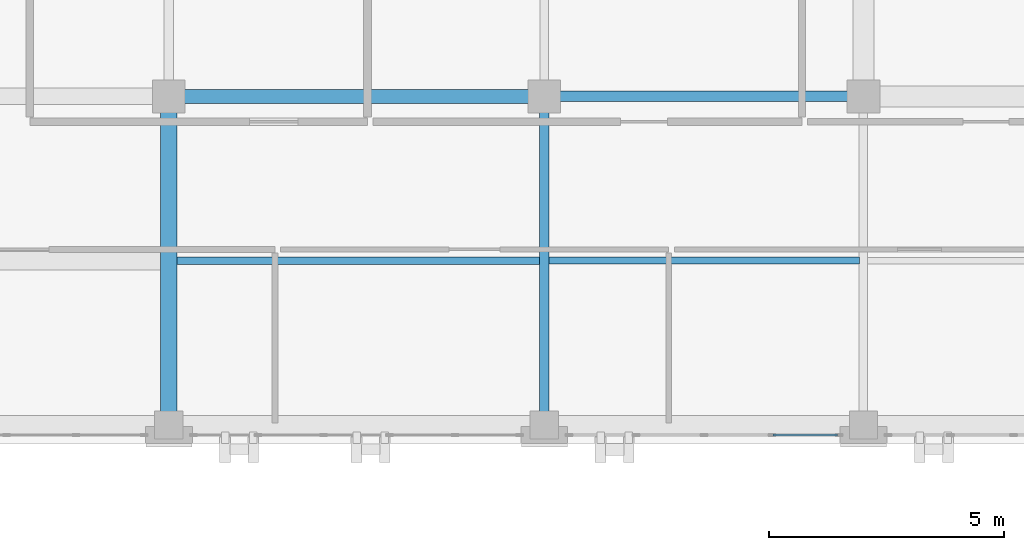
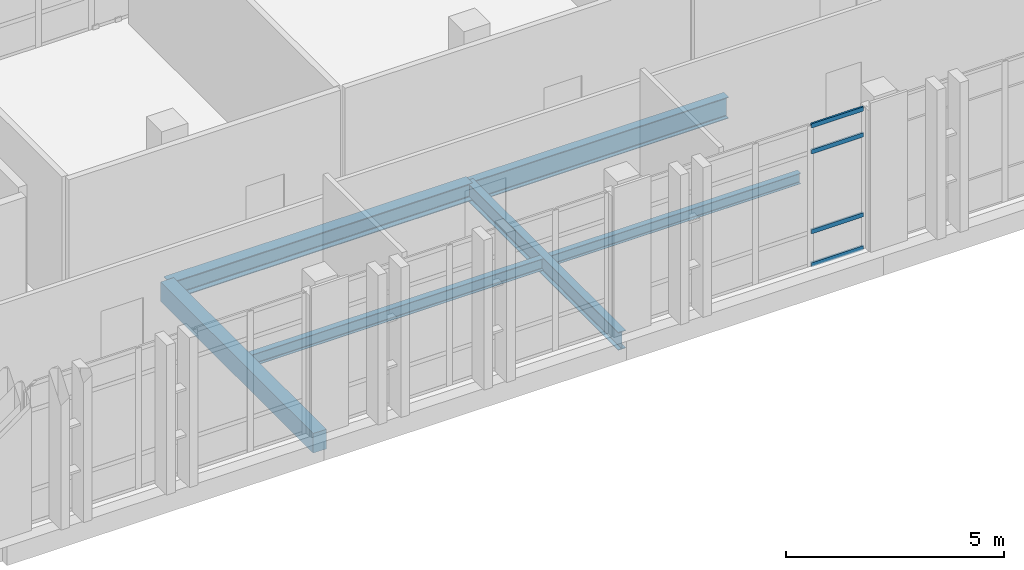
# One storey, part 25 of 77: 6 beams, 4 members, 1 element without a shape of its own.
"""IFC4 building model written with IfcOpenShell, lengths in metres."""

from ifc_helpers import new_model, si_unit, direction, frame, origin, origin_2d, place, context, subcontext, project, spatial, rectangle, hollow_rectangle, i_section, extrude, material, layer, layer_set, material_profile, profile_set, type_object, element, aggregate, save


model = new_model("IFC4")

# Units and contexts
model_context = context("Model", 3, precision=1e-05, world=origin(), true_north=direction((0.0, 1.0)))
body_context = subcontext(model_context, "Body", "Model", "MODEL_VIEW")
ifc_project = project(units=[si_unit("LENGTHUNIT", "METRE"), si_unit("AREAUNIT", "SQUARE_METRE"), si_unit("VOLUMEUNIT", "CUBIC_METRE"), si_unit("PLANEANGLEUNIT", "RADIAN"), si_unit("MASSUNIT", "GRAM", prefix="KILO")], contexts=[model_context])

# Site, building, storey
site_placement = place(None, origin())
site = spatial("IfcSite", under=ifc_project, at=site_placement, CompositionType="ELEMENT")
building_placement = place(site_placement, origin())
building = spatial("IfcBuilding", under=site, at=building_placement, Name="Qalavern Law Courts", CompositionType="ELEMENT")
storey_placement = place(building_placement, frame((0.0, 0.0, 27.0)))
storey = spatial("IfcBuildingStorey", under=building, at=storey_placement, Name="L06", CompositionType="ELEMENT", Elevation=27.0)

# Curtain wall, members
ifc_material_1 = material(Name="Anodised aluminium and insulated glazing", Category="aluminium")
ifc_layer = layer(ifc_material_1, 0.166015625)
ifc_layer_set = layer_set([ifc_layer], Name="Anodised aluminium and insulated glazing")
curtain_wall_type = type_object("IfcCurtainWallType", Name="ENV-CW-LIB", PredefinedType="USERDEFINED", material=ifc_layer_set)
curtain_wall_placement = place(storey_placement, origin())
curtain_wall = element("IfcCurtainWall", 1, at=curtain_wall_placement, inside=storey, type_object=curtain_wall_type, Name="V5 unitised curtain wall L06 south 4", ObjectType="UNITISED CURTAIN WALL", PredefinedType="USERDEFINED")
ifc_material_2 = material(Name="Anodised aluminium", Category="aluminium")
ifc_material_profile_1 = material_profile(ifc_material_2, hollow_rectangle(XDim=0.048095703125, YDim=0.1201171875, WallThickness=0.00390625, at=origin_2d()), Name="ALU TRANSOM 48x120")
ifc_profile_set_1 = profile_set([ifc_material_profile_1], Name="Anodised aluminium")
member_type = type_object("IfcMemberType", Name="ENV-CWT-48x120", PredefinedType="USERDEFINED", material=ifc_profile_set_1)
member_1_placement = place(storey_placement, frame((49.674072265625, 96.385009765625, 0.02392578125), z_axis=(1.0, 0.0, 0.0), x_axis=(0.0, 1.0, 0.0)))
member_1 = element("IfcMember", 2, at=member_1_placement, type_object=member_type, Name="CW-05 transom 4.1", ObjectType="TRANSOM", PredefinedType="USERDEFINED", context=body_context, shape_type="SweptSolid", body=[
    extrude(hollow_rectangle(XDim=0.048095703125, YDim=0.1201171875, WallThickness=0.00390625, at=origin_2d()), origin(), (0.0, 0.0, 1.0), 1.3779296875),
])
member_2_placement = place(storey_placement, frame((49.674072265625, 96.385009765625, 0.949951171875), z_axis=(1.0, 0.0, 0.0), x_axis=(0.0, 1.0, 0.0)))
member_2 = element("IfcMember", 3, at=member_2_placement, type_object=member_type, Name="CW-05 transom 4.2", ObjectType="TRANSOM", PredefinedType="USERDEFINED", context=body_context, shape_type="SweptSolid", body=[
    extrude(hollow_rectangle(XDim=0.048095703125, YDim=0.1201171875, WallThickness=0.00390625, at=origin_2d()), origin(), (0.0, 0.0, 1.0), 1.3779296875),
])
member_3_placement = place(storey_placement, frame((49.674072265625, 96.385009765625, 3.18505859375), z_axis=(1.0, 0.0, 0.0), x_axis=(0.0, 1.0, 0.0)))
member_3 = element("IfcMember", 4, at=member_3_placement, type_object=member_type, Name="CW-05 transom 4.3", ObjectType="TRANSOM", PredefinedType="USERDEFINED", context=body_context, shape_type="SweptSolid", body=[
    extrude(hollow_rectangle(XDim=0.048095703125, YDim=0.1201171875, WallThickness=0.00390625, at=origin_2d()), origin(), (0.0, 0.0, 1.0), 1.3779296875),
])
member_4_placement = place(storey_placement, frame((49.674072265625, 96.385009765625, 3.910888671875), z_axis=(1.0, 0.0, 0.0), x_axis=(0.0, 1.0, 0.0)))
member_4 = element("IfcMember", 5, at=member_4_placement, type_object=member_type, Name="CW-05 transom 4.4", ObjectType="TRANSOM", PredefinedType="USERDEFINED", context=body_context, shape_type="SweptSolid", body=[
    extrude(hollow_rectangle(XDim=0.048095703125, YDim=0.1201171875, WallThickness=0.00390625, at=origin_2d()), origin(), (0.0, 0.0, 1.0), 1.3779296875),
])
aggregate(curtain_wall, [member_1, member_2, member_3, member_4])

# Beams
ifc_material_3 = material(Name="Steel S355", Category="steel")
ifc_material_profile_2 = material_profile(ifc_material_3, i_section(OverallWidth=0.300048828125, OverallDepth=0.489990234375, WebThickness=0.011962890625, FlangeThickness=0.02294921875, FilletRadius=0.027099609375, at=origin_2d()), Name="HEA 500")
ifc_profile_set_2 = profile_set([ifc_material_profile_2], Name="Steel S355")
beam_type_1 = type_object("IfcBeamType", Name="STR-BM-HEA500", PredefinedType="BEAM", material=ifc_profile_set_2)
beam_1_placement = place(storey_placement, frame((36.800048828125, 103.60009765625, -0.514892578125), z_axis=(1.0, 0.0, 0.0), x_axis=(0.0, 1.0, 0.0)))
element("IfcBeam", 6, at=beam_1_placement, inside=storey, type_object=beam_type_1, Name="V5 X-beam 2-2 L06", PredefinedType="BEAM", context=body_context, shape_type="SweptSolid", body=[
    extrude(i_section(OverallWidth=0.300048828125, OverallDepth=0.489990234375, WebThickness=0.011962890625, FlangeThickness=0.02294921875, FilletRadius=0.027099609375, at=origin_2d()), origin(), (0.0, 0.0, 1.0), 8.0),
])
ifc_material_profile_3 = material_profile(ifc_material_3, i_section(OverallWidth=0.199951171875, OverallDepth=0.5, WebThickness=0.01025390625, FlangeThickness=0.01611328125, FilletRadius=0.02099609375, at=origin_2d()), Name="IPE 500")
ifc_profile_set_3 = profile_set([ifc_material_profile_3], Name="Steel S355")
beam_type_2 = type_object("IfcBeamType", Name="STR-BM-IPE500", PredefinedType="BEAM", material=ifc_profile_set_3)
beam_2_placement = place(storey_placement, frame((44.800048828125, 96.60009765625, -0.52001953125), z_axis=(0.0, 1.0, 0.0), x_axis=(-1.0, 0.0, 0.0)))
element("IfcBeam", 7, at=beam_2_placement, inside=storey, type_object=beam_type_2, Name="V5 Y-beam 3-1 L06", PredefinedType="BEAM", context=body_context, shape_type="SweptSolid", body=[
    extrude(i_section(OverallWidth=0.199951171875, OverallDepth=0.5, WebThickness=0.01025390625, FlangeThickness=0.01611328125, FilletRadius=0.02099609375, at=origin_2d()), origin(), (0.0, 0.0, 1.0), 7.0),
])
ifc_material_profile_4 = material_profile(ifc_material_3, i_section(OverallWidth=0.219970703125, OverallDepth=0.60009765625, WebThickness=0.011962890625, FlangeThickness=0.01904296875, FilletRadius=0.02392578125, at=origin_2d()), Name="IPE 600")
ifc_profile_set_4 = profile_set([ifc_material_profile_4], Name="Steel S355")
beam_type_3 = type_object("IfcBeamType", Name="STR-BM-IPE600", PredefinedType="BEAM", material=ifc_profile_set_4)
beam_3_placement = place(storey_placement, frame((44.800048828125, 103.60009765625, -0.570068359375), z_axis=(1.0, 0.0, 0.0), x_axis=(0.0, 1.0, 0.0)))
element("IfcBeam", 8, at=beam_3_placement, inside=storey, type_object=beam_type_3, Name="V5 X-beam 2-3 L06", PredefinedType="BEAM", context=body_context, shape_type="SweptSolid", body=[
    extrude(i_section(OverallWidth=0.219970703125, OverallDepth=0.60009765625, WebThickness=0.011962890625, FlangeThickness=0.01904296875, FilletRadius=0.02392578125, at=origin_2d()), origin(), (0.0, 0.0, 1.0), 6.800048828125),
])
ifc_material_4 = material(Name="Concrete C35/45", Category="concrete")
ifc_material_profile_5 = material_profile(ifc_material_4, rectangle(XDim=0.35009765625, YDim=0.550048828125, at=origin_2d()), Name="RC 350x550")
ifc_profile_set_5 = profile_set([ifc_material_profile_5], Name="Concrete C35/45")
beam_type_4 = type_object("IfcBeamType", Name="STR-BM-RC350x550", PredefinedType="BEAM", material=ifc_profile_set_5)
beam_4_placement = place(storey_placement, frame((36.800048828125, 96.60009765625, -0.544921875), z_axis=(0.0, 1.0, 0.0), x_axis=(-1.0, 0.0, 0.0)))
element("IfcBeam", 9, at=beam_4_placement, inside=storey, type_object=beam_type_4, Name="V5 Y-beam 2-1 L06", PredefinedType="BEAM", context=body_context, shape_type="SweptSolid", body=[
    extrude(rectangle(XDim=0.35009765625, YDim=0.550048828125, at=origin_2d()), origin(), (0.0, 0.0, 1.0), 7.0),
])
ifc_material_profile_6 = material_profile(ifc_material_3, i_section(OverallWidth=0.14990234375, OverallDepth=0.300048828125, WebThickness=0.007080078125, FlangeThickness=0.0107421875, FilletRadius=0.014892578125, at=origin_2d()), Name="IPE 300")
ifc_profile_set_6 = profile_set([ifc_material_profile_6], Name="Steel S355")
beam_type_5 = type_object("IfcBeamType", Name="STR-JST-IPE300", PredefinedType="JOIST", material=ifc_profile_set_6)
beam_5_placement = place(storey_placement, frame((44.89794921875, 100.10009765625, -0.419921875), z_axis=(1.0, 0.0, 0.0), x_axis=(0.0, 1.0, 0.0)))
element("IfcBeam", 10, at=beam_5_placement, inside=storey, type_object=beam_type_5, Name="V5 secondary joist 3.1.1 L06", PredefinedType="JOIST", context=body_context, shape_type="SweptSolid", body=[
    extrude(i_section(OverallWidth=0.14990234375, OverallDepth=0.300048828125, WebThickness=0.007080078125, FlangeThickness=0.0107421875, FilletRadius=0.014892578125, at=origin_2d()), origin(), (0.0, 0.0, 1.0), 6.614013671875),
])
ifc_material_profile_7 = material_profile(ifc_material_3, i_section(OverallWidth=0.159912109375, OverallDepth=0.330078125, WebThickness=0.007568359375, FlangeThickness=0.011474609375, FilletRadius=0.01806640625, at=origin_2d()), Name="IPE 330")
ifc_profile_set_7 = profile_set([ifc_material_profile_7], Name="Steel S355")
beam_type_6 = type_object("IfcBeamType", Name="STR-JST-IPE330", PredefinedType="JOIST", material=ifc_profile_set_7)
beam_6_placement = place(storey_placement, frame((36.972900390625, 100.10009765625, -0.43505859375), z_axis=(1.0, 0.0, 0.0), x_axis=(0.0, 1.0, 0.0)))
element("IfcBeam", 11, at=beam_6_placement, inside=storey, type_object=beam_type_6, Name="V5 secondary joist 2.1.1 L06", PredefinedType="JOIST", context=body_context, shape_type="SweptSolid", body=[
    extrude(i_section(OverallWidth=0.159912109375, OverallDepth=0.330078125, WebThickness=0.007568359375, FlangeThickness=0.011474609375, FilletRadius=0.01806640625, at=origin_2d()), origin(), (0.0, 0.0, 1.0), 7.72900390625),
])

save(model, "model.ifc")
